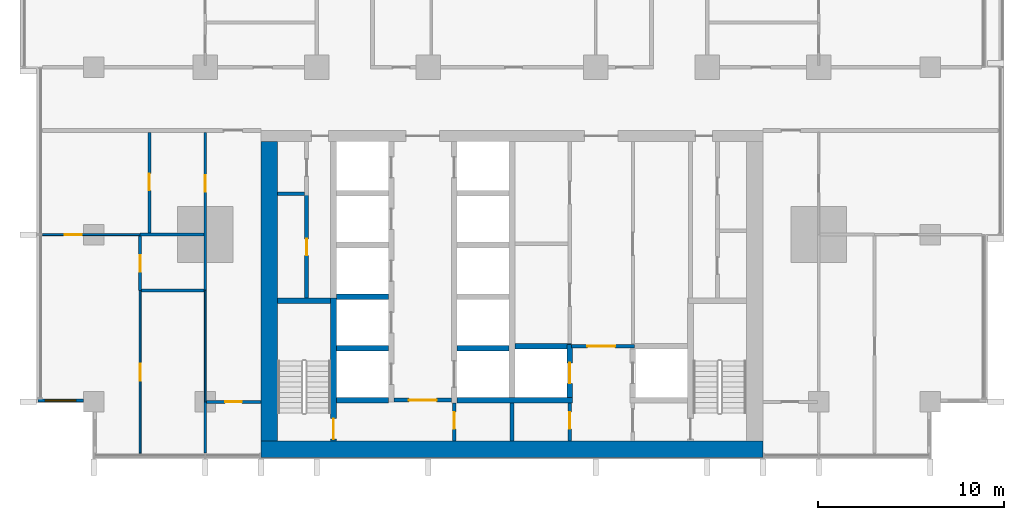
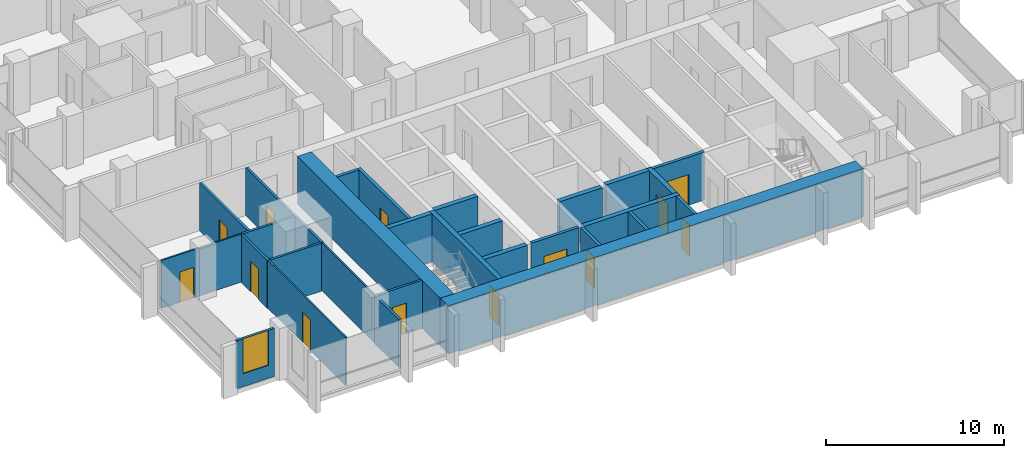
# One storey, part 7 of 18: 29 walls, 13 doors, 1 window, 14 openings.
"""IFC4 building model written with IfcOpenShell, lengths in metres."""

import ifcopenshell
import ifcopenshell.guid

model = None  # the IFC model being written
_history = None  # IfcOwnerHistory: only IFC2X3 demands one
_inside = {}  # id of a spatial element -> (the spatial element, [elements in it])
_under = {}  # id of a project, library or spatial element -> (it, [spatial elements below it])
_declared = {}  # id of a project -> (the project, [libraries it declares])
_typed = {}  # id of a type object -> (the type object, [elements of that type])
_made_of = {}  # id of a material, layer set ... -> (it, [elements and type objects made of it])


def new_model(schema):
    """Start an empty IFC model of exactly this schema.

    Asked for "IFC4X3", IfcOpenShell would pick the latest addendum, in which some entities
    have other attributes; the version numbers below select the first issue.
    IFC2X3 requires an IfcOwnerHistory on every rooted entity: one is made here for all.
    """
    global model, _history
    if schema == "IFC4X3":
        model = ifcopenshell.file(schema_version=(4, 3, 0, 0))
    else:
        model = ifcopenshell.file(schema=schema)
    _inside.clear()
    _under.clear()
    _declared.clear()
    _typed.clear()
    _made_of.clear()
    _history = None
    if model.schema == "IFC2X3":
        org = make("IfcOrganization", Name="unknown")
        user = make(
            "IfcPersonAndOrganization",
            ThePerson=make("IfcPerson", FamilyName="unknown"),
            TheOrganization=org,
        )
        app = make(
            "IfcApplication",
            ApplicationDeveloper=org,
            Version="unknown",
            ApplicationFullName="unknown",
            ApplicationIdentifier="unknown",
        )
        _history = make(
            "IfcOwnerHistory",
            OwningUser=user,
            OwningApplication=app,
            ChangeAction="ADDED",
            CreationDate=0,
        )
    return model


def make(cls, **values):
    """One entity of the class cls with the attributes given. An attribute that is None is left unset."""
    return model.create_entity(
        cls, **{name: value for name, value in values.items() if value is not None}
    )


def rooted(cls, **values):
    """An entity with a GlobalId (a new one), such as an element, a storey or a relation."""
    return make(cls, GlobalId=ifcopenshell.guid.new(), OwnerHistory=_history, **values)


def si_unit(unit_type, name, prefix=None):
    """IfcSIUnit, for example si_unit("LENGTHUNIT", "METRE", prefix="MILLI")."""
    return make("IfcSIUnit", UnitType=unit_type, Prefix=prefix, Name=name)


def assignment(units):
    """IfcUnitAssignment: the units of a project."""
    return None if units is None else make("IfcUnitAssignment", Units=units)


def point(xyz):
    """IfcCartesianPoint."""
    return None if xyz is None else make("IfcCartesianPoint", Coordinates=xyz)


def direction(xyz):
    """IfcDirection."""
    return None if xyz is None else make("IfcDirection", DirectionRatios=xyz)


def frame(location, z_axis=None, x_axis=None):
    """IfcAxis2Placement3D, a coordinate frame: its origin and axes. An axis left out is left unset."""
    return make(
        "IfcAxis2Placement3D",
        Location=point(location),
        Axis=direction(z_axis),
        RefDirection=direction(x_axis),
    )


def frame_2d(location, x_axis=None):
    """IfcAxis2Placement2D, a coordinate frame in the plane: its origin and x axis."""
    return make(
        "IfcAxis2Placement2D", Location=point(location), RefDirection=direction(x_axis)
    )


def origin():
    """The frame at (0, 0, 0) with its axes left unset."""
    return frame((0.0, 0.0, 0.0))


def place(relative_to, where):
    """IfcLocalPlacement: puts the frame where relative to a parent placement (None: the world)."""
    return make(
        "IfcLocalPlacement", PlacementRelTo=relative_to, RelativePlacement=where
    )


def context(
    kind, dimensions, precision=None, world=None, true_north=None, identifier=None
):
    """IfcGeometricRepresentationContext, for example the 3D "Model" context."""
    return make(
        "IfcGeometricRepresentationContext",
        ContextIdentifier=identifier,
        ContextType=kind,
        CoordinateSpaceDimension=dimensions,
        Precision=precision,
        WorldCoordinateSystem=world,
        TrueNorth=true_north,
    )


def subcontext(parent, identifier, kind, view, scale=None):
    """IfcGeometricRepresentationSubContext, for example "Body" below "Model"."""
    return make(
        "IfcGeometricRepresentationSubContext",
        ContextIdentifier=identifier,
        ContextType=kind,
        ParentContext=parent,
        TargetScale=scale,
        TargetView=view,
    )


def project(units=None, contexts=None):
    """IfcProject with its units and contexts."""
    return rooted(
        "IfcProject",
        Name="project",
        RepresentationContexts=contexts,
        UnitsInContext=assignment(units),
    )


def spatial(cls, under=None, at=None, **own):
    """A site, building, storey or space (cls), placed at a placement, below another one or the project."""
    s = rooted(cls, ObjectPlacement=at, **own)
    if under is not None:
        _under.setdefault(under.id(), (under, []))[1].append(s)
    return s


def profile(cls, at=None, kind="AREA", **sizes):
    """A parametric profile (cls). Its sizes go by their IFC names, for example OverallWidth=200.0."""
    return make(cls, ProfileType=kind, Position=at, **sizes)


def rectangle(**sizes):
    """IfcRectangleProfileDef."""
    return profile("IfcRectangleProfileDef", **sizes)


def extrude(swept, where, along, depth):
    """IfcExtrudedAreaSolid: the profile swept, set in the frame where, extruded along a direction by depth."""
    return make(
        "IfcExtrudedAreaSolid",
        SweptArea=swept,
        Position=where,
        ExtrudedDirection=direction(along),
        Depth=depth,
    )


def shape(context_of_items, identifier, shape_type, items):
    """IfcShapeRepresentation: the items that make up one representation, for example the "Body"."""
    return make(
        "IfcShapeRepresentation",
        ContextOfItems=context_of_items,
        RepresentationIdentifier=identifier,
        RepresentationType=shape_type,
        Items=items,
    )


def material(Name=None, Category=None):
    """IfcMaterial."""
    return make("IfcMaterial", Name=Name, Category=Category)


def layer(
    of_material, thickness, ventilated=None, Name=None, Category=None, Priority=None
):
    """IfcMaterialLayer: one layer of a wall or slab, of a material (None: an air gap)."""
    return make(
        "IfcMaterialLayer",
        Material=of_material,
        LayerThickness=thickness,
        IsVentilated=ventilated,
        Name=Name,
        Category=Category,
        Priority=Priority,
    )


def layer_set(layers, Name=None):
    """IfcMaterialLayerSet."""
    return make("IfcMaterialLayerSet", MaterialLayers=layers, LayerSetName=Name)


def made_of(thing, what):
    """Note that an element or type object is made of a material, layer set ...; save() writes the relation."""
    if what is not None:
        _made_of.setdefault(what.id(), (what, []))[1].append(thing)
    return thing


def type_object(cls, material=None, **own):
    """A type object (cls), such as IfcWallType, which elements share."""
    return made_of(rooted(cls, **own), material)


def element(
    cls,
    number,
    at=None,
    inside=None,
    cuts=None,
    type_object=None,
    material=None,
    context=None,
    identifier="Body",
    shape_type=None,
    held_by="IfcProductDefinitionShape",
    body=None,
    shapes=None,
    **own,
):
    """One element of the class cls, such as IfcWall. Its Tag is "e" and its number.

    at: its placement. inside: the storey or other place that contains it. cuts: it is an
    opening in that element (IfcRelVoidsElement). A single representation is given by context,
    identifier, shape_type and body (its items); several are given by shapes. held_by: the class
    of the entity that holds the representations. save() writes the other relations.
    """
    e = rooted(cls, Tag="e%d" % number, ObjectPlacement=at, **own)
    if body is not None:
        shapes = [shape(context, identifier, shape_type, body)]
    if shapes is not None:
        e.Representation = make(held_by, Representations=shapes)
    if inside is not None:
        _inside.setdefault(inside.id(), (inside, []))[1].append(e)
    if cuts is not None:
        rooted(
            "IfcRelVoidsElement", RelatingBuildingElement=cuts, RelatedOpeningElement=e
        )
    if type_object is not None:
        _typed.setdefault(type_object.id(), (type_object, []))[1].append(e)
    return made_of(e, material)


def fill(opening, filler):
    """IfcRelFillsElement: the door or window that sits in an opening."""
    return rooted(
        "IfcRelFillsElement",
        RelatingOpeningElement=opening,
        RelatedBuildingElement=filler,
    )


def aggregate(whole, parts):
    """IfcRelAggregates: a whole, such as a stair, and the parts it consists of."""
    return rooted("IfcRelAggregates", RelatingObject=whole, RelatedObjects=parts)


def save(model, path):
    """Write the relations noted so far, then the file.

    IfcRelAggregates (storeys below a building ...), IfcRelContainedInSpatialStructure (elements
    in a storey), IfcRelDefinesByType, IfcRelAssociatesMaterial and IfcRelDeclares: one each for
    every whole, place, type object, material and project.
    """
    for whole, parts in _under.values():
        aggregate(whole, parts)
    for where, things in _inside.values():
        rooted(
            "IfcRelContainedInSpatialStructure",
            RelatedElements=things,
            RelatingStructure=where,
        )
    for kind, things in _typed.values():
        rooted("IfcRelDefinesByType", RelatedObjects=things, RelatingType=kind)
    for what, things in _made_of.values():
        rooted("IfcRelAssociatesMaterial", RelatedObjects=things, RelatingMaterial=what)
    for by, libraries in _declared.values():
        rooted("IfcRelDeclares", RelatingContext=by, RelatedDefinitions=libraries)
    model.write(path)


model = new_model("IFC4")

# Units and contexts
model_context = context("Model", 3, precision=1e-05, world=origin(), true_north=direction((0.0, 1.0)))
body_context = subcontext(model_context, "Body", "Model", "MODEL_VIEW")
ifc_project = project(units=[si_unit("LENGTHUNIT", "METRE"), si_unit("AREAUNIT", "SQUARE_METRE"), si_unit("VOLUMEUNIT", "CUBIC_METRE"), si_unit("PLANEANGLEUNIT", "RADIAN"), si_unit("MASSUNIT", "GRAM", prefix="KILO")], contexts=[model_context])

# Site, building, storey
site_placement = place(None, origin())
site = spatial("IfcSite", under=ifc_project, at=site_placement, CompositionType="ELEMENT")
building_placement = place(site_placement, origin())
building = spatial("IfcBuilding", under=site, at=building_placement, Name="Finial Court Residences", CompositionType="ELEMENT")
storey_placement = place(building_placement, frame((0.0, 0.0, 46.89990234375)))
storey = spatial("IfcBuildingStorey", under=building, at=storey_placement, Name="L10", CompositionType="ELEMENT", Elevation=46.89990234375)

# Walls
ifc_material_1 = material(Name="Concrete C80/95", Category="concrete")
ifc_layer_1 = layer(ifc_material_1, 0.89990234375)
ifc_layer_set_1 = layer_set([ifc_layer_1], Name="Core outer wall 900 Concrete C80/95")
wall_type_1 = type_object("IfcWallType", Name="Core outer wall 900 Concrete C80/95", PredefinedType="SHEAR", material=ifc_layer_set_1)
wall_1_placement = place(storey_placement, frame((-13.050048828125, -24.60009765625, 0.0), z_axis=(0.0, 0.0, 1.0), x_axis=(0.0, 1.0, 0.0)))
element("IfcWall", 1, at=wall_1_placement, inside=storey, type_object=wall_type_1, Name="Core outer wall L10-03", PredefinedType="SHEAR", context=body_context, shape_type="SweptSolid", body=[
    extrude(rectangle(XDim=16.10009765625, YDim=0.89990234375, at=frame_2d((8.050048828125, 0.0))), origin(), (0.0, 0.0, 1.0), 3.300048828125),
])
ifc_layer_2 = layer(ifc_material_1, 0.89990234375)
ifc_layer_set_2 = layer_set([ifc_layer_2], Name="Core south facade wall 900 Concrete C80/95")
wall_type_2 = type_object("IfcWallType", Name="Core south facade wall 900 Concrete C80/95", PredefinedType="SHEAR", material=ifc_layer_set_2)
wall_2_placement = place(storey_placement, frame((-13.5, -25.050048828125, 0.0), z_axis=(0.0, 0.0, 1.0), x_axis=(1.0, 0.0, 0.0)))
element("IfcWall", 2, at=wall_2_placement, inside=storey, type_object=wall_type_2, Name="Core outer wall L10-01", PredefinedType="SHEAR", context=body_context, shape_type="SweptSolid", body=[
    extrude(rectangle(XDim=27.0, YDim=0.89990234375, at=frame_2d((13.5, 0.0))), origin(), (0.0, 0.0, 1.0), 3.300048828125),
])

# Wall, opening, door
ifc_material_2 = material(Name="Fire-rated gypsum board partition")
ifc_layer_3 = layer(ifc_material_2, 0.199951171875)
ifc_layer_set_3 = layer_set([ifc_layer_3], Name="Firefighting lobby wall 200 EI 120")
wall_type_3 = type_object("IfcWallType", Name="Firefighting lobby wall 200 EI 120", PredefinedType="PARTITIONING", material=ifc_layer_set_3)
wall_3_placement = place(storey_placement, frame((6.574951171875, -19.5, 0.0), z_axis=(0.0, 0.0, 1.0), x_axis=(-1.0, 0.0, 0.0)))
wall_3 = element("IfcWall", 3, at=wall_3_placement, inside=storey, type_object=wall_type_3, Name="Core partition L10-08", PredefinedType="PARTITIONING", context=body_context, shape_type="SweptSolid", body=[
    extrude(rectangle(XDim=3.375, YDim=0.199951171875, at=frame_2d((1.6875, 0.0))), origin(), (0.0, 0.0, 1.0), 3.300048828125),
])
opening_1_placement = place(wall_3_placement, frame((1.02490234375, 0.0, 0.0)))
opening_1 = element("IfcOpeningElement", 4, at=opening_1_placement, cuts=wall_3, Name="Opening L10-C02", PredefinedType="OPENING", context=body_context, shape_type="SweptSolid", body=[
    extrude(rectangle(XDim=1.5, YDim=2.10009765625, at=frame_2d((0.75, 1.050048828125))), frame((0.0, 0.10986328125, 0.0), z_axis=(0.0, -1.0, 0.0), x_axis=(1.0, 0.0, 0.0)), (0.0, 0.0, 1.0), 0.219970703125),
])
ifc_material_3 = material(Name="Steel fire door", Category="steel")
door_type_1 = type_object("IfcDoorType", Name="Firefighting lobby door 1500 x 2100 EI 90", OperationType="DOUBLE_DOOR_SINGLE_SWING", PredefinedType="DOOR", material=ifc_material_3)
door_1_placement = place(opening_1_placement, origin())
door_1 = element("IfcDoor", 5, at=door_1_placement, inside=storey, type_object=door_type_1, Name="Firefighting lobby door L10-C02", OperationType="DOUBLE_DOOR_SINGLE_SWING", OverallHeight=2.10009765625, OverallWidth=1.5, PredefinedType="DOOR", context=body_context, shape_type="SweptSolid", body=[
    extrude(rectangle(XDim=1.5, YDim=2.10009765625, at=frame_2d((0.75, 1.050048828125))), frame((0.0, 0.02490234375, 0.0), z_axis=(0.0, -1.0, 0.0), x_axis=(1.0, 0.0, 0.0)), (0.0, 0.0, 1.0), 0.050048828125),
])
fill(opening_1, door_1)

wall_4_placement = place(storey_placement, frame((3.10009765625, -24.60009765625, 0.0), z_axis=(0.0, 0.0, 1.0), x_axis=(0.0, 1.0, 0.0)))
wall_4 = element("IfcWall", 6, at=wall_4_placement, inside=storey, type_object=wall_type_3, Name="Core partition L10-30", PredefinedType="PARTITIONING", context=body_context, shape_type="SweptSolid", body=[
    extrude(rectangle(XDim=2.050048828125, YDim=0.199951171875, at=frame_2d((1.02490234375, 0.0))), origin(), (0.0, 0.0, 1.0), 3.300048828125),
])
opening_2_placement = place(wall_4_placement, frame((0.64990234375, 0.0, 0.0)))
opening_2 = element("IfcOpeningElement", 7, at=opening_2_placement, cuts=wall_4, Name="Opening L10-C06", PredefinedType="OPENING", context=body_context, shape_type="SweptSolid", body=[
    extrude(rectangle(XDim=0.89990234375, YDim=2.10009765625, at=frame_2d((0.449951171875, 1.050048828125))), frame((0.0, 0.10986328125, 0.0), z_axis=(0.0, -1.0, 0.0), x_axis=(1.0, 0.0, 0.0)), (0.0, 0.0, 1.0), 0.219970703125),
])
door_type_2 = type_object("IfcDoorType", Name="Riser room door 900 x 2100 EI 90", OperationType="NOTDEFINED", PredefinedType="DOOR", material=ifc_material_3)
door_2_placement = place(opening_2_placement, origin())
door_2 = element("IfcDoor", 8, at=door_2_placement, inside=storey, type_object=door_type_2, Name="Riser room door L10-C06", OperationType="SINGLE_SWING_LEFT", OverallHeight=2.10009765625, OverallWidth=0.89990234375, PredefinedType="DOOR", context=body_context, shape_type="SweptSolid", body=[
    extrude(rectangle(XDim=0.89990234375, YDim=2.10009765625, at=frame_2d((0.449951171875, 1.050048828125))), frame((0.0, 0.02490234375, 0.0), z_axis=(0.0, -1.0, 0.0), x_axis=(1.0, 0.0, 0.0)), (0.0, 0.0, 1.0), 0.050048828125),
])
fill(opening_2, door_2)

ifc_material_4 = material(Name="Gypsum board")
ifc_layer_4 = layer(ifc_material_4, 0.012451171875)
ifc_material_5 = material(Name="Mineral wool in light-gauge frame")
ifc_layer_5 = layer(ifc_material_5, 0.074951171875)
ifc_layer_6 = layer(ifc_material_4, 0.012451171875)
ifc_layer_set_4 = layer_set([ifc_layer_4, ifc_layer_5, ifc_layer_6], Name="Gypsum board partition 100")
wall_type_4 = type_object("IfcWallType", Name="Gypsum board partition 100", PredefinedType="PARTITIONING", material=ifc_layer_set_4)
wall_5_placement = place(storey_placement, frame((-25.25, -13.5, 0.0), z_axis=(0.0, 0.0, 1.0), x_axis=(1.0, 0.0, 0.0)))
wall_5 = element("IfcWall", 9, at=wall_5_placement, inside=storey, type_object=wall_type_4, Name="Partition L10-003", PredefinedType="PARTITIONING", context=body_context, shape_type="SweptSolid", body=[
    extrude(rectangle(XDim=5.25, YDim=0.10009765625, at=frame_2d((2.625, 0.0))), origin(), (0.0, 0.0, 1.0), 3.300048828125),
])
opening_3_placement = place(wall_5_placement, frame((1.199951171875, 0.0, 0.0)))
opening_3 = element("IfcOpeningElement", 10, at=opening_3_placement, cuts=wall_5, Name="Opening L10-D003", PredefinedType="OPENING", context=body_context, shape_type="SweptSolid", body=[
    extrude(rectangle(XDim=0.89990234375, YDim=2.10009765625, at=frame_2d((0.449951171875, 1.050048828125))), frame((0.0, 0.06005859375, 0.0), z_axis=(0.0, -1.0, 0.0), x_axis=(1.0, 0.0, 0.0)), (0.0, 0.0, 1.0), 0.1201171875),
])
ifc_material_6 = material(Name="Timber door leaf in timber frame", Category="wood")
door_type_3 = type_object("IfcDoorType", Name="Door set 900 x 2100", OperationType="SINGLE_SWING_LEFT", PredefinedType="DOOR", material=ifc_material_6)
door_3_placement = place(opening_3_placement, origin())
door_3 = element("IfcDoor", 11, at=door_3_placement, inside=storey, type_object=door_type_3, Name="Door L10-D003", OperationType="SINGLE_SWING_LEFT", OverallHeight=2.10009765625, OverallWidth=0.89990234375, PredefinedType="DOOR", context=body_context, shape_type="SweptSolid", body=[
    extrude(rectangle(XDim=0.89990234375, YDim=2.10009765625, at=frame_2d((0.449951171875, 1.050048828125))), frame((0.0, 0.02490234375, 0.0), z_axis=(0.0, -1.0, 0.0), x_axis=(1.0, 0.0, 0.0)), (0.0, 0.0, 1.0), 0.050048828125),
])
fill(opening_3, door_3)

wall_6_placement = place(storey_placement, frame((-20.0, -25.25, 0.0), z_axis=(0.0, 0.0, 1.0), x_axis=(0.0, 1.0, 0.0)))
wall_6 = element("IfcWall", 12, at=wall_6_placement, inside=storey, type_object=wall_type_4, Name="Partition L10-056", PredefinedType="PARTITIONING", context=body_context, shape_type="SweptSolid", body=[
    extrude(rectangle(XDim=8.75, YDim=0.10009765625, at=frame_2d((4.375, 0.0))), origin(), (0.0, 0.0, 1.0), 3.300048828125),
])
opening_4_placement = place(wall_6_placement, frame((3.89990234375, 0.0, 0.0)))
opening_4 = element("IfcOpeningElement", 13, at=opening_4_placement, cuts=wall_6, Name="Opening L10-D035", PredefinedType="OPENING", context=body_context, shape_type="SweptSolid", body=[
    extrude(rectangle(XDim=0.89990234375, YDim=2.10009765625, at=frame_2d((0.449951171875, 1.050048828125))), frame((0.0, 0.06005859375, 0.0), z_axis=(0.0, -1.0, 0.0), x_axis=(1.0, 0.0, 0.0)), (0.0, 0.0, 1.0), 0.1201171875),
])
door_4_placement = place(opening_4_placement, origin())
door_4 = element("IfcDoor", 14, at=door_4_placement, inside=storey, type_object=door_type_3, Name="Door L10-D035", OperationType="SINGLE_SWING_LEFT", OverallHeight=2.10009765625, OverallWidth=0.89990234375, PredefinedType="DOOR", context=body_context, shape_type="SweptSolid", body=[
    extrude(rectangle(XDim=0.89990234375, YDim=2.10009765625, at=frame_2d((0.449951171875, 1.050048828125))), frame((0.0, 0.02490234375, 0.0), z_axis=(0.0, -1.0, 0.0), x_axis=(1.0, 0.0, 0.0)), (0.0, 0.0, 1.0), 0.050048828125),
])
fill(opening_4, door_4)

# Wall
wall_7_placement = place(storey_placement, frame((-16.5, -22.5, 0.0), z_axis=(0.0, 0.0, 1.0), x_axis=(0.0, 1.0, 0.0)))
element("IfcWall", 15, at=wall_7_placement, inside=storey, type_object=wall_type_4, Name="Partition L10-063", PredefinedType="PARTITIONING", context=body_context, shape_type="SweptSolid", body=[
    extrude(rectangle(XDim=6.0, YDim=0.10009765625, at=frame_2d((3.0, 0.0))), origin(), (0.0, 0.0, 1.0), 3.300048828125),
])

# Wall, opening, door
ifc_material_7 = material(Name="Moisture-resistant gypsum board")
ifc_layer_7 = layer(ifc_material_7, 0.012451171875)
ifc_layer_8 = layer(ifc_material_5, 0.125)
ifc_layer_9 = layer(ifc_material_7, 0.012451171875)
ifc_layer_set_5 = layer_set([ifc_layer_7, ifc_layer_8, ifc_layer_9], Name="Gypsum board wet-area partition 150")
wall_type_5 = type_object("IfcWallType", Name="Gypsum board wet-area partition 150", PredefinedType="PARTITIONING", material=ifc_layer_set_5)
wall_8_placement = place(storey_placement, frame((-16.425048828125, -22.5, 0.0), z_axis=(0.0, 0.0, 1.0), x_axis=(1.0, 0.0, 0.0)))
wall_8 = element("IfcWall", 16, at=wall_8_placement, inside=storey, type_object=wall_type_5, Name="Partition L10-000", PredefinedType="PARTITIONING", context=body_context, shape_type="SweptSolid", body=[
    extrude(rectangle(XDim=2.925048828125, YDim=0.14990234375, at=frame_2d((1.46240234375, 0.0))), origin(), (0.0, 0.0, 1.0), 3.300048828125),
])
opening_5_placement = place(wall_8_placement, frame((1.0, 0.0, 0.0)))
opening_5 = element("IfcOpeningElement", 17, at=opening_5_placement, cuts=wall_8, Name="Opening L10-D001", PredefinedType="OPENING", context=body_context, shape_type="SweptSolid", body=[
    extrude(rectangle(XDim=0.89990234375, YDim=2.10009765625, at=frame_2d((0.449951171875, 1.050048828125))), frame((0.0, 0.0849609375, 0.0), z_axis=(0.0, -1.0, 0.0), x_axis=(1.0, 0.0, 0.0)), (0.0, 0.0, 1.0), 0.169921875),
])
door_5_placement = place(opening_5_placement, origin())
door_5 = element("IfcDoor", 18, at=door_5_placement, inside=storey, type_object=door_type_3, Name="Door L10-D001", OperationType="SINGLE_SWING_LEFT", OverallHeight=2.10009765625, OverallWidth=0.89990234375, PredefinedType="DOOR", context=body_context, shape_type="SweptSolid", body=[
    extrude(rectangle(XDim=0.89990234375, YDim=2.10009765625, at=frame_2d((0.449951171875, 1.050048828125))), frame((0.0, 0.02490234375, 0.0), z_axis=(0.0, -1.0, 0.0), x_axis=(1.0, 0.0, 0.0)), (0.0, 0.0, 1.0), 0.050048828125),
])
fill(opening_5, door_5)

# Walls
wall_9_placement = place(storey_placement, frame((-19.925048828125, -16.5, 0.0), z_axis=(0.0, 0.0, 1.0), x_axis=(1.0, 0.0, 0.0)))
element("IfcWall", 19, at=wall_9_placement, inside=storey, type_object=wall_type_5, Name="Partition L10-002", PredefinedType="PARTITIONING", context=body_context, shape_type="SweptSolid", body=[
    extrude(rectangle(XDim=3.35009765625, YDim=0.14990234375, at=frame_2d((1.675048828125, 0.0))), origin(), (0.0, 0.0, 1.0), 3.300048828125),
])
wall_10_placement = place(storey_placement, frame((-20.0, -13.5, 0.0), z_axis=(0.0, 0.0, 1.0), x_axis=(1.0, 0.0, 0.0)))
element("IfcWall", 20, at=wall_10_placement, inside=storey, type_object=wall_type_5, Name="Partition L10-005", PredefinedType="PARTITIONING", context=body_context, shape_type="SweptSolid", body=[
    extrude(rectangle(XDim=3.425048828125, YDim=0.14990234375, at=frame_2d((1.71240234375, 0.0))), origin(), (0.0, 0.0, 1.0), 3.300048828125),
])

# Wall, opening, door
wall_11_placement = place(storey_placement, frame((-20.0, -16.5, 0.0), z_axis=(0.0, 0.0, 1.0), x_axis=(0.0, 1.0, 0.0)))
wall_11 = element("IfcWall", 21, at=wall_11_placement, inside=storey, type_object=wall_type_5, Name="Partition L10-057", PredefinedType="PARTITIONING", context=body_context, shape_type="SweptSolid", body=[
    extrude(rectangle(XDim=2.925048828125, YDim=0.14990234375, at=frame_2d((1.46240234375, 0.0))), origin(), (0.0, 0.0, 1.0), 3.300048828125),
])
opening_6_placement = place(wall_11_placement, frame((1.0, 0.0, 0.0)))
opening_6 = element("IfcOpeningElement", 22, at=opening_6_placement, cuts=wall_11, Name="Opening L10-D036", PredefinedType="OPENING", context=body_context, shape_type="SweptSolid", body=[
    extrude(rectangle(XDim=0.89990234375, YDim=2.10009765625, at=frame_2d((0.449951171875, 1.050048828125))), frame((0.0, 0.0849609375, 0.0), z_axis=(0.0, -1.0, 0.0), x_axis=(1.0, 0.0, 0.0)), (0.0, 0.0, 1.0), 0.169921875),
])
door_6_placement = place(opening_6_placement, origin())
door_6 = element("IfcDoor", 23, at=door_6_placement, inside=storey, type_object=door_type_3, Name="Door L10-D036", OperationType="SINGLE_SWING_LEFT", OverallHeight=2.10009765625, OverallWidth=0.89990234375, PredefinedType="DOOR", context=body_context, shape_type="SweptSolid", body=[
    extrude(rectangle(XDim=0.89990234375, YDim=2.10009765625, at=frame_2d((0.449951171875, 1.050048828125))), frame((0.0, 0.02490234375, 0.0), z_axis=(0.0, -1.0, 0.0), x_axis=(1.0, 0.0, 0.0)), (0.0, 0.0, 1.0), 0.050048828125),
])
fill(opening_6, door_6)

wall_12_placement = place(storey_placement, frame((-19.5, -13.425048828125, 0.0), z_axis=(0.0, 0.0, 1.0), x_axis=(0.0, 1.0, 0.0)))
wall_12 = element("IfcWall", 24, at=wall_12_placement, inside=storey, type_object=wall_type_5, Name="Partition L10-060", PredefinedType="PARTITIONING", context=body_context, shape_type="SweptSolid", body=[
    extrude(rectangle(XDim=5.425048828125, YDim=0.14990234375, at=frame_2d((2.71240234375, 0.0))), origin(), (0.0, 0.0, 1.0), 3.300048828125),
])
opening_7_placement = place(wall_12_placement, frame((2.300048828125, 0.0, 0.0)))
opening_7 = element("IfcOpeningElement", 25, at=opening_7_placement, cuts=wall_12, Name="Opening L10-D039", PredefinedType="OPENING", context=body_context, shape_type="SweptSolid", body=[
    extrude(rectangle(XDim=0.89990234375, YDim=2.10009765625, at=frame_2d((0.449951171875, 1.050048828125))), frame((0.0, 0.0849609375, 0.0), z_axis=(0.0, -1.0, 0.0), x_axis=(1.0, 0.0, 0.0)), (0.0, 0.0, 1.0), 0.169921875),
])
door_7_placement = place(opening_7_placement, origin())
door_7 = element("IfcDoor", 26, at=door_7_placement, inside=storey, type_object=door_type_3, Name="Door L10-D039", OperationType="SINGLE_SWING_LEFT", OverallHeight=2.10009765625, OverallWidth=0.89990234375, PredefinedType="DOOR", context=body_context, shape_type="SweptSolid", body=[
    extrude(rectangle(XDim=0.89990234375, YDim=2.10009765625, at=frame_2d((0.449951171875, 1.050048828125))), frame((0.0, 0.02490234375, 0.0), z_axis=(0.0, -1.0, 0.0), x_axis=(1.0, 0.0, 0.0)), (0.0, 0.0, 1.0), 0.050048828125),
])
fill(opening_7, door_7)

# Wall
wall_13_placement = place(storey_placement, frame((-16.5, -25.25, 0.0), z_axis=(0.0, 0.0, 1.0), x_axis=(0.0, 1.0, 0.0)))
element("IfcWall", 27, at=wall_13_placement, inside=storey, type_object=wall_type_5, Name="Partition L10-067", PredefinedType="PARTITIONING", context=body_context, shape_type="SweptSolid", body=[
    extrude(rectangle(XDim=2.75, YDim=0.14990234375, at=frame_2d((1.375, 0.0))), origin(), (0.0, 0.0, 1.0), 3.300048828125),
])

# Wall, opening, door
wall_14_placement = place(storey_placement, frame((-16.5, -16.5, 0.0), z_axis=(0.0, 0.0, 1.0), x_axis=(0.0, 1.0, 0.0)))
wall_14 = element("IfcWall", 28, at=wall_14_placement, inside=storey, type_object=wall_type_5, Name="Partition L10-068", PredefinedType="PARTITIONING", context=body_context, shape_type="SweptSolid", body=[
    extrude(rectangle(XDim=8.5, YDim=0.14990234375, at=frame_2d((4.25, 0.0))), origin(), (0.0, 0.0, 1.0), 3.300048828125),
])
opening_8_placement = place(wall_14_placement, frame((5.300048828125, 0.0, 0.0)))
opening_8 = element("IfcOpeningElement", 29, at=opening_8_placement, cuts=wall_14, Name="Opening L10-D044", PredefinedType="OPENING", context=body_context, shape_type="SweptSolid", body=[
    extrude(rectangle(XDim=0.89990234375, YDim=2.10009765625, at=frame_2d((0.449951171875, 1.050048828125))), frame((0.0, 0.0849609375, 0.0), z_axis=(0.0, -1.0, 0.0), x_axis=(1.0, 0.0, 0.0)), (0.0, 0.0, 1.0), 0.169921875),
])
door_8_placement = place(opening_8_placement, origin())
door_8 = element("IfcDoor", 30, at=door_8_placement, inside=storey, type_object=door_type_3, Name="Door L10-D044", OperationType="SINGLE_SWING_LEFT", OverallHeight=2.10009765625, OverallWidth=0.89990234375, PredefinedType="DOOR", context=body_context, shape_type="SweptSolid", body=[
    extrude(rectangle(XDim=0.89990234375, YDim=2.10009765625, at=frame_2d((0.449951171875, 1.050048828125))), frame((0.0, 0.02490234375, 0.0), z_axis=(0.0, -1.0, 0.0), x_axis=(1.0, 0.0, 0.0)), (0.0, 0.0, 1.0), 0.050048828125),
])
fill(opening_8, door_8)

# Walls
ifc_layer_10 = layer(ifc_material_1, 0.300048828125)
ifc_layer_set_6 = layer_set([ifc_layer_10], Name="Lift shaft and stair wall 300 Concrete C80/95")
wall_type_6 = type_object("IfcWallType", Name="Lift shaft and stair wall 300 Concrete C80/95", PredefinedType="SHEAR", material=ifc_layer_set_6)
wall_15_placement = place(storey_placement, frame((-9.449951171875, -22.39990234375, 0.0), z_axis=(0.0, 0.0, 1.0), x_axis=(1.0, 0.0, 0.0)))
element("IfcWall", 31, at=wall_15_placement, inside=storey, type_object=wall_type_6, Name="Core wall L10-01", PredefinedType="SHEAR", context=body_context, shape_type="SweptSolid", body=[
    extrude(rectangle(XDim=2.800048828125, YDim=0.300048828125, at=frame_2d((1.39990234375, 0.0))), origin(), (0.0, 0.0, 1.0), 3.300048828125),
])
wall_16_placement = place(storey_placement, frame((-2.949951171875, -22.39990234375, 0.0), z_axis=(0.0, 0.0, 1.0), x_axis=(1.0, 0.0, 0.0)))
element("IfcWall", 32, at=wall_16_placement, inside=storey, type_object=wall_type_6, Name="Core wall L10-03", PredefinedType="SHEAR", context=body_context, shape_type="SweptSolid", body=[
    extrude(rectangle(XDim=6.199951171875, YDim=0.300048828125, at=frame_2d((3.10009765625, 0.0))), origin(), (0.0, 0.0, 1.0), 3.300048828125),
])
for number, where, z_axis, x_axis, name in (
    (33, (-9.449951171875, -19.6201171875, 0.0), (0.0, 0.0, 1.0), (1.0, 0.0, 0.0), "Core wall L10-05"),
    (34, (-2.949951171875, -19.6201171875, 0.0), (0.0, 0.0, 1.0), (1.0, 0.0, 0.0), "Core wall L10-06"),
):
    element("IfcWall", number, at=place(storey_placement, frame(where, z_axis=z_axis, x_axis=x_axis)), inside=storey, type_object=wall_type_6, Name=name, PredefinedType="SHEAR", context=body_context, shape_type="SweptSolid", body=[
        extrude(rectangle(XDim=2.800048828125, YDim=0.300048828125, at=frame_2d((1.39990234375, 0.0))), origin(), (0.0, 0.0, 1.0), 3.300048828125),
    ])
wall_17_placement = place(storey_placement, frame((0.14990234375, -19.5, 0.0), z_axis=(0.0, 0.0, 1.0), x_axis=(1.0, 0.0, 0.0)))
element("IfcWall", 35, at=wall_17_placement, inside=storey, type_object=wall_type_6, Name="Core wall L10-07", PredefinedType="SHEAR", context=body_context, shape_type="SweptSolid", body=[
    extrude(rectangle(XDim=3.050048828125, YDim=0.300048828125, at=frame_2d((1.52490234375, 0.0))), origin(), (0.0, 0.0, 1.0), 3.300048828125),
])
wall_18_placement = place(storey_placement, frame((-12.60009765625, -17.050048828125, 0.0), z_axis=(0.0, 0.0, 1.0), x_axis=(1.0, 0.0, 0.0)))
element("IfcWall", 36, at=wall_18_placement, inside=storey, type_object=wall_type_6, Name="Core wall L10-10", PredefinedType="SHEAR", context=body_context, shape_type="SweptSolid", body=[
    extrude(rectangle(XDim=2.85009765625, YDim=0.300048828125, at=frame_2d((1.425048828125, 0.0))), origin(), (0.0, 0.0, 1.0), 3.300048828125),
])
wall_19_placement = place(storey_placement, frame((-9.449951171875, -16.840087890625, 0.0), z_axis=(0.0, 0.0, 1.0), x_axis=(1.0, 0.0, 0.0)))
element("IfcWall", 37, at=wall_19_placement, inside=storey, type_object=wall_type_6, Name="Core wall L10-12", PredefinedType="SHEAR", context=body_context, shape_type="SweptSolid", body=[
    extrude(rectangle(XDim=2.800048828125, YDim=0.300048828125, at=frame_2d((1.39990234375, 0.0))), origin(), (0.0, 0.0, 1.0), 3.300048828125),
])

# Wall, opening, door
wall_20_placement = place(storey_placement, frame((-9.60009765625, -24.60009765625, 0.0), z_axis=(0.0, 0.0, 1.0), x_axis=(0.0, 1.0, 0.0)))
wall_20 = element("IfcWall", 38, at=wall_20_placement, inside=storey, type_object=wall_type_6, Name="Core wall L10-23", PredefinedType="SHEAR", context=body_context, shape_type="SweptSolid", body=[
    extrude(rectangle(XDim=7.7001953125, YDim=0.300048828125, at=frame_2d((3.85009765625, 0.0))), origin(), (0.0, 0.0, 1.0), 3.300048828125),
])
opening_9_placement = place(wall_20_placement, frame((0.10009765625, 0.0, 0.0)))
opening_9 = element("IfcOpeningElement", 39, at=opening_9_placement, cuts=wall_20, Name="Opening L10-C17", PredefinedType="OPENING", context=body_context, shape_type="SweptSolid", body=[
    extrude(rectangle(XDim=1.10009765625, YDim=2.10009765625, at=frame_2d((0.550048828125, 1.050048828125))), frame((0.0, 0.159912109375, 0.0), z_axis=(0.0, -1.0, 0.0), x_axis=(1.0, 0.0, 0.0)), (0.0, 0.0, 1.0), 0.320068359375),
])
door_type_4 = type_object("IfcDoorType", Name="Stair door 1100 x 2100 EI 90", OperationType="NOTDEFINED", PredefinedType="DOOR", material=ifc_material_3)
door_9_placement = place(opening_9_placement, origin())
door_9 = element("IfcDoor", 40, at=door_9_placement, inside=storey, type_object=door_type_4, Name="Stair door L10-C17", OperationType="SINGLE_SWING_LEFT", OverallHeight=2.10009765625, OverallWidth=1.10009765625, PredefinedType="DOOR", context=body_context, shape_type="SweptSolid", body=[
    extrude(rectangle(XDim=1.10009765625, YDim=2.10009765625, at=frame_2d((0.550048828125, 1.050048828125))), frame((0.0, 0.02490234375, 0.0), z_axis=(0.0, -1.0, 0.0), x_axis=(1.0, 0.0, 0.0)), (0.0, 0.0, 1.0), 0.050048828125),
])
fill(opening_9, door_9)

wall_21_placement = place(storey_placement, frame((3.10009765625, -22.25, 0.0), z_axis=(0.0, 0.0, 1.0), x_axis=(0.0, 1.0, 0.0)))
wall_21 = element("IfcWall", 41, at=wall_21_placement, inside=storey, type_object=wall_type_6, Name="Core wall L10-31", PredefinedType="SHEAR", context=body_context, shape_type="SweptSolid", body=[
    extrude(rectangle(XDim=2.85009765625, YDim=0.300048828125, at=frame_2d((1.425048828125, 0.0))), origin(), (0.0, 0.0, 1.0), 3.300048828125),
])
opening_10_placement = place(wall_21_placement, frame((0.75, 0.0, 0.0)))
opening_10 = element("IfcOpeningElement", 42, at=opening_10_placement, cuts=wall_21, Name="Opening L10-LD01", PredefinedType="OPENING", context=body_context, shape_type="SweptSolid", body=[
    extrude(rectangle(XDim=1.10009765625, YDim=2.10009765625, at=frame_2d((0.550048828125, 1.050048828125))), frame((0.0, 0.159912109375, 0.0), z_axis=(0.0, -1.0, 0.0), x_axis=(1.0, 0.0, 0.0)), (0.0, 0.0, 1.0), 0.320068359375),
])
ifc_material_8 = material(Name="Stainless steel lift door", Category="steel")
door_type_5 = type_object("IfcDoorType", Name="Lift landing door 1100 x 2100 EI 90", OperationType="DOUBLE_DOOR_SLIDING", PredefinedType="DOOR", material=ifc_material_8)
door_10_placement = place(opening_10_placement, origin())
door_10 = element("IfcDoor", 43, at=door_10_placement, inside=storey, type_object=door_type_5, Name="Lift landing door FF1 L10", OperationType="DOUBLE_DOOR_SLIDING", OverallHeight=2.10009765625, OverallWidth=1.10009765625, PredefinedType="DOOR", context=body_context, shape_type="SweptSolid", body=[
    extrude(rectangle(XDim=1.10009765625, YDim=2.10009765625, at=frame_2d((0.550048828125, 1.050048828125))), frame((0.0, 0.02490234375, 0.0), z_axis=(0.0, -1.0, 0.0), x_axis=(1.0, 0.0, 0.0)), (0.0, 0.0, 1.0), 0.050048828125),
])
fill(opening_10, door_10)

# Wall, opening, window
ifc_material_9 = material(Name="Natural limestone", Category="masonry")
ifc_layer_11 = layer(ifc_material_9, 0.14990234375)
ifc_layer_set_7 = layer_set([ifc_layer_11], Name="Limestone clad wall 150")
wall_type_7 = type_object("IfcWallType", Name="Limestone clad wall 150", PredefinedType="SOLIDWALL", material=ifc_layer_set_7)
wall_22_placement = place(storey_placement, frame((-23.050048828125, -22.425048828125, 0.0), z_axis=(0.0, 0.0, 1.0), x_axis=(-1.0, 0.0, 0.0)))
wall_22 = element("IfcWall", 44, at=wall_22_placement, inside=storey, type_object=wall_type_7, Name="E-L10-NWS14", PredefinedType="SOLIDWALL", context=body_context, shape_type="SweptSolid", body=[
    extrude(rectangle(XDim=2.449951171875, YDim=0.14990234375, at=frame_2d((1.22509765625, 0.0))), origin(), (0.0, 0.0, 1.0), 3.300048828125),
])
opening_11_placement = place(wall_22_placement, frame((0.39990234375, 0.0, 0.89990234375)))
opening_11 = element("IfcOpeningElement", 45, at=opening_11_placement, cuts=wall_22, Name="Opening WE10-02", PredefinedType="OPENING", context=body_context, shape_type="SweptSolid", body=[
    extrude(rectangle(XDim=1.64990234375, YDim=2.39990234375, at=frame_2d((0.824951171875, 1.199951171875))), frame((0.0, 0.0849609375, 0.0), z_axis=(0.0, -1.0, 0.0), x_axis=(1.0, 0.0, 0.0)), (0.0, 0.0, 1.0), 0.169921875),
])
ifc_material_10 = material(Name="Clear low-e glass", Category="glass")
window_type = type_object("IfcWindowType", Name="Corner window 1650 x 2400", PartitioningType="SINGLE_PANEL", PredefinedType="WINDOW", material=ifc_material_10)
window_placement = place(opening_11_placement, origin())
window = element("IfcWindow", 46, at=window_placement, inside=storey, type_object=window_type, Name="E-L10-NWS14-W1", OverallHeight=2.39990234375, OverallWidth=1.64990234375, PartitioningType="SINGLE_PANEL", PredefinedType="WINDOW", context=body_context, shape_type="SweptSolid", body=[
    extrude(rectangle(XDim=1.64990234375, YDim=2.39990234375, at=frame_2d((0.824951171875, 1.199951171875))), frame((0.0, 0.030029296875, 0.0), z_axis=(0.0, -1.0, 0.0), x_axis=(1.0, 0.0, 0.0)), (0.0, 0.0, 1.0), 0.06005859375),
])
fill(opening_11, window)

# Walls
ifc_layer_12 = layer(ifc_material_2, 0.199951171875)
ifc_layer_set_8 = layer_set([ifc_layer_12], Name="Riser room wall 200 EI 120")
wall_type_8 = type_object("IfcWallType", Name="Riser room wall 200 EI 120", PredefinedType="PARTITIONING", material=ifc_layer_set_8)
wall_23_placement = place(storey_placement, frame((-12.60009765625, -11.300048828125, 0.0), z_axis=(0.0, 0.0, 1.0), x_axis=(1.0, 0.0, 0.0)))
element("IfcWall", 47, at=wall_23_placement, inside=storey, type_object=wall_type_8, Name="Core partition L10-18", PredefinedType="PARTITIONING", context=body_context, shape_type="SweptSolid", body=[
    extrude(rectangle(XDim=1.4501953125, YDim=0.199951171875, at=frame_2d((0.72509765625, 0.0))), origin(), (0.0, 0.0, 1.0), 3.300048828125),
])
wall_24_placement = place(storey_placement, frame((0.0, -24.60009765625, 0.0), z_axis=(0.0, 0.0, 1.0), x_axis=(0.0, 1.0, 0.0)))
element("IfcWall", 48, at=wall_24_placement, inside=storey, type_object=wall_type_8, Name="Core partition L10-28", PredefinedType="PARTITIONING", context=body_context, shape_type="SweptSolid", body=[
    extrude(rectangle(XDim=2.050048828125, YDim=0.199951171875, at=frame_2d((1.02490234375, 0.0))), origin(), (0.0, 0.0, 1.0), 3.300048828125),
])

# Wall, opening, door
ifc_layer_13 = layer(ifc_material_2, 0.199951171875)
ifc_layer_set_9 = layer_set([ifc_layer_13], Name="Stair passage wall 200 EI 180")
wall_type_9 = type_object("IfcWallType", Name="Stair passage wall 200 EI 180", PredefinedType="PARTITIONING", material=ifc_layer_set_9)
wall_25_placement = place(storey_placement, frame((-3.25, -22.39990234375, 0.0), z_axis=(0.0, 0.0, 1.0), x_axis=(-1.0, 0.0, 0.0)))
wall_25 = element("IfcWall", 49, at=wall_25_placement, inside=storey, type_object=wall_type_9, Name="Core partition L10-02", PredefinedType="PARTITIONING", context=body_context, shape_type="SweptSolid", body=[
    extrude(rectangle(XDim=3.10009765625, YDim=0.199951171875, at=frame_2d((1.550048828125, 0.0))), origin(), (0.0, 0.0, 1.0), 3.300048828125),
])
opening_12_placement = place(wall_25_placement, frame((0.800048828125, 0.0, 0.0)))
opening_12 = element("IfcOpeningElement", 50, at=opening_12_placement, cuts=wall_25, Name="Opening L10-C03", PredefinedType="OPENING", context=body_context, shape_type="SweptSolid", body=[
    extrude(rectangle(XDim=1.5, YDim=2.10009765625, at=frame_2d((0.75, 1.050048828125))), frame((0.0, 0.10986328125, 0.0), z_axis=(0.0, -1.0, 0.0), x_axis=(1.0, 0.0, 0.0)), (0.0, 0.0, 1.0), 0.219970703125),
])
door_type_6 = type_object("IfcDoorType", Name="Lift lobby door 1500 x 2100 EI 60", OperationType="DOUBLE_DOOR_SINGLE_SWING", PredefinedType="DOOR", material=ifc_material_3)
door_11_placement = place(opening_12_placement, origin())
door_11 = element("IfcDoor", 51, at=door_11_placement, inside=storey, type_object=door_type_6, Name="Lift lobby door L10-C03", OperationType="DOUBLE_DOOR_SINGLE_SWING", OverallHeight=2.10009765625, OverallWidth=1.5, PredefinedType="DOOR", context=body_context, shape_type="SweptSolid", body=[
    extrude(rectangle(XDim=1.5, YDim=2.10009765625, at=frame_2d((0.75, 1.050048828125))), frame((0.0, 0.02490234375, 0.0), z_axis=(0.0, -1.0, 0.0), x_axis=(1.0, 0.0, 0.0)), (0.0, 0.0, 1.0), 0.050048828125),
])
fill(opening_12, door_11)

wall_26_placement = place(storey_placement, frame((-11.050048828125, -16.89990234375, 0.0), z_axis=(0.0, 0.0, 1.0), x_axis=(0.0, 1.0, 0.0)))
wall_26 = element("IfcWall", 52, at=wall_26_placement, inside=storey, type_object=wall_type_9, Name="Core partition L10-21", PredefinedType="PARTITIONING", context=body_context, shape_type="SweptSolid", body=[
    extrude(rectangle(XDim=5.699951171875, YDim=0.199951171875, at=frame_2d((2.85009765625, 0.0))), origin(), (0.0, 0.0, 1.0), 3.300048828125),
])
opening_13_placement = place(wall_26_placement, frame((2.27490234375, 0.0, 0.0)))
opening_13 = element("IfcOpeningElement", 53, at=opening_13_placement, cuts=wall_26, Name="Opening L10-C14", PredefinedType="OPENING", context=body_context, shape_type="SweptSolid", body=[
    extrude(rectangle(XDim=0.89990234375, YDim=2.10009765625, at=frame_2d((0.449951171875, 1.050048828125))), frame((0.0, 0.10986328125, 0.0), z_axis=(0.0, -1.0, 0.0), x_axis=(1.0, 0.0, 0.0)), (0.0, 0.0, 1.0), 0.219970703125),
])
door_type_7 = type_object("IfcDoorType", Name="Core room door 900 x 2100 EI 60", OperationType="NOTDEFINED", PredefinedType="DOOR", material=ifc_material_3)
door_12_placement = place(opening_13_placement, origin())
door_12 = element("IfcDoor", 54, at=door_12_placement, inside=storey, type_object=door_type_7, Name="Core room door L10-C14", OperationType="SINGLE_SWING_LEFT", OverallHeight=2.10009765625, OverallWidth=0.89990234375, PredefinedType="DOOR", context=body_context, shape_type="SweptSolid", body=[
    extrude(rectangle(XDim=0.89990234375, YDim=2.10009765625, at=frame_2d((0.449951171875, 1.050048828125))), frame((0.0, 0.02490234375, 0.0), z_axis=(0.0, -1.0, 0.0), x_axis=(1.0, 0.0, 0.0)), (0.0, 0.0, 1.0), 0.050048828125),
])
fill(opening_13, door_12)

wall_27_placement = place(storey_placement, frame((-3.10009765625, -22.550048828125, 0.0), z_axis=(0.0, 0.0, 1.0), x_axis=(0.0, -1.0, 0.0)))
wall_27 = element("IfcWall", 55, at=wall_27_placement, inside=storey, type_object=wall_type_9, Name="Core partition L10-26", PredefinedType="PARTITIONING", context=body_context, shape_type="SweptSolid", body=[
    extrude(rectangle(XDim=2.050048828125, YDim=0.199951171875, at=frame_2d((1.02490234375, 0.0))), origin(), (0.0, 0.0, 1.0), 3.300048828125),
])
opening_14_placement = place(wall_27_placement, frame((0.5, 0.0, 0.0)))
opening_14 = element("IfcOpeningElement", 56, at=opening_14_placement, cuts=wall_27, Name="Opening L10-C13", PredefinedType="OPENING", context=body_context, shape_type="SweptSolid", body=[
    extrude(rectangle(XDim=0.89990234375, YDim=2.10009765625, at=frame_2d((0.449951171875, 1.050048828125))), frame((0.0, 0.10986328125, 0.0), z_axis=(0.0, -1.0, 0.0), x_axis=(1.0, 0.0, 0.0)), (0.0, 0.0, 1.0), 0.219970703125),
])
door_13_placement = place(opening_14_placement, origin())
door_13 = element("IfcDoor", 57, at=door_13_placement, inside=storey, type_object=door_type_7, Name="Core room door L10-C13", OperationType="SINGLE_SWING_RIGHT", OverallHeight=2.10009765625, OverallWidth=0.89990234375, PredefinedType="DOOR", context=body_context, shape_type="SweptSolid", body=[
    extrude(rectangle(XDim=0.89990234375, YDim=2.10009765625, at=frame_2d((0.449951171875, 1.050048828125))), frame((0.0, 0.02490234375, 0.0), z_axis=(0.0, -1.0, 0.0), x_axis=(1.0, 0.0, 0.0)), (0.0, 0.0, 1.0), 0.050048828125),
])
fill(opening_14, door_13)

save(model, "model.ifc")
